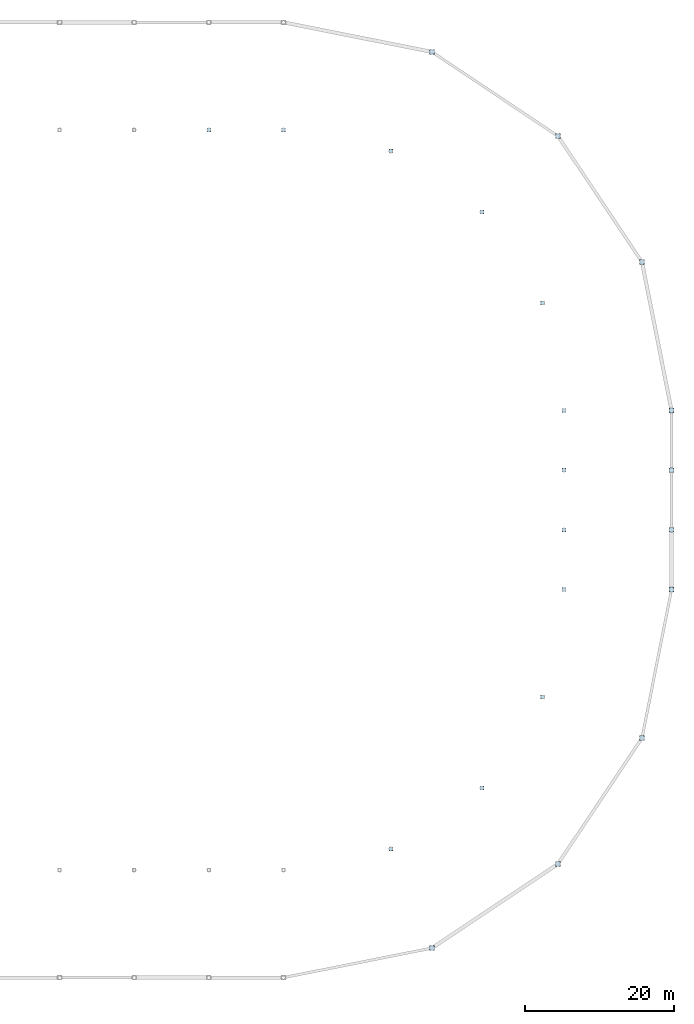
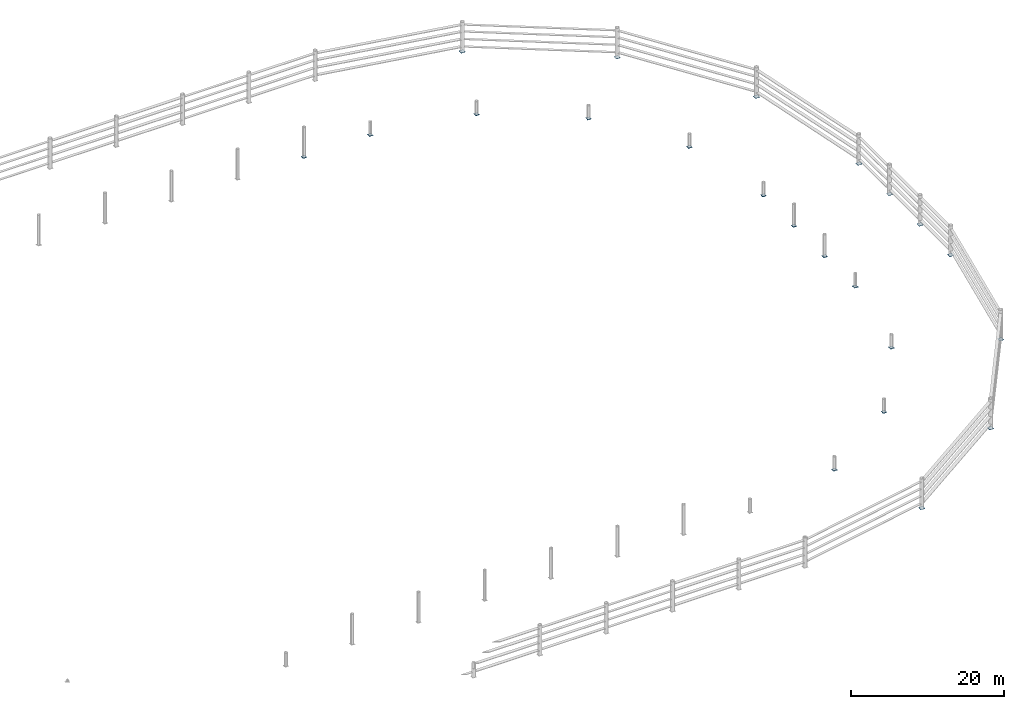
# One storey, part 22 of 29: 22 plates.
"""IFC4 building model written with IfcOpenShell, lengths in metres."""

from ifc_helpers import new_model, si_unit, direction, frame, origin, origin_2d, place, context, subcontext, project, spatial, rectangle, extrude, material, layer, layer_set, type_object, element, save


model = new_model("IFC4")

# Units and contexts
model_context = context("Model", 3, precision=1e-05, world=origin(), true_north=direction((0.0, 1.0)))
body_context = subcontext(model_context, "Body", "Model", "MODEL_VIEW")
ifc_project = project(units=[si_unit("LENGTHUNIT", "METRE"), si_unit("AREAUNIT", "SQUARE_METRE"), si_unit("VOLUMEUNIT", "CUBIC_METRE"), si_unit("PLANEANGLEUNIT", "RADIAN"), si_unit("MASSUNIT", "GRAM", prefix="KILO")], contexts=[model_context])

# Site, building, storey
site_placement = place(None, origin())
site = spatial("IfcSite", under=ifc_project, at=site_placement, CompositionType="ELEMENT")
building_placement = place(site_placement, origin())
building = spatial("IfcBuilding", under=site, at=building_placement, Name="Candeia Ridge Stadium", CompositionType="ELEMENT")
storey_placement = place(building_placement, frame((0.0, 0.0, 27.0)))
storey = spatial("IfcBuildingStorey", under=building, at=storey_placement, Name="L05", CompositionType="ELEMENT", Elevation=27.0)

# Plates
ifc_material = material(Name="Steel ASTM A572 Grade 50", Category="steel")
ifc_layer = layer(ifc_material, 0.02490234375, Name="Steel ASTM A572 Grade 50", Category="steel")
ifc_layer_set = layer_set([ifc_layer], Name="Steel ASTM A572 Grade 50")
plate_type = type_object("IfcPlateType", Name="Hollow Section End Closure Plate CP1", PredefinedType="SHEET", material=ifc_layer_set)
for number, where, z_axis, x_axis, name in (
    (1, (141.0, 132.60009765625, -0.012451171875), (0.0, 0.0, 1.0), (1.0, 0.0, 0.0), "Hollow section end closure plate MCAP-B-BC-MD-00"),
    (2, (131.0, 132.60009765625, -0.012451171875), (0.0, 0.0, 1.0), (1.0, 0.0, 0.0), "Hollow section end closure plate MCAP-B-BC-MD-01"),
    (3, (155.388916015625, 36.26220703125, -0.012451171875), (0.0, 0.0, 1.0), (1.0, 0.0, 0.0), "Hollow section end closure plate MCAP-B-BC-MD-26"),
):
    element("IfcPlate", number, at=place(storey_placement, frame(where, z_axis=z_axis, x_axis=x_axis)), inside=storey, type_object=plate_type, Name=name, PredefinedType="SHEET", context=body_context, shape_type="SweptSolid", body=[
        extrude(rectangle(XDim=0.5400390625, YDim=0.5400390625, at=origin_2d()), origin(), (0.0, 0.0, 1.0), 0.02490234375),
    ])
plate_1_placement = place(storey_placement, frame((160.899658203125, 22.958251953125, -0.012451171875), z_axis=(0.0, 0.0, 1.0), x_axis=(1.0, 0.0, 0.0)))
element("IfcPlate", 4, at=plate_1_placement, inside=storey, type_object=plate_type, Name="Hollow section end closure plate MCAP-B-BC-OU-26", PredefinedType="SHEET", context=body_context, shape_type="SweptSolid", body=[
    extrude(rectangle(XDim=0.639892578125, YDim=0.639892578125, at=origin_2d()), origin(), (0.0, 0.0, 1.0), 0.02490234375),
])
plate_2_placement = place(storey_placement, frame((167.587158203125, 44.412841796875, -0.012451171875), z_axis=(0.0, 0.0, 1.0), x_axis=(1.0, 0.0, 0.0)))
element("IfcPlate", 5, at=plate_2_placement, inside=storey, type_object=plate_type, Name="Hollow section end closure plate MCAP-B-BC-MD-27", PredefinedType="SHEET", context=body_context, shape_type="SweptSolid", body=[
    extrude(rectangle(XDim=0.5400390625, YDim=0.5400390625, at=origin_2d()), origin(), (0.0, 0.0, 1.0), 0.02490234375),
])
plate_3_placement = place(storey_placement, frame((177.76953125, 34.23046875, -0.012451171875), z_axis=(0.0, 0.0, 1.0), x_axis=(1.0, 0.0, 0.0)))
element("IfcPlate", 6, at=plate_3_placement, inside=storey, type_object=plate_type, Name="Hollow section end closure plate MCAP-B-BC-OU-27", PredefinedType="SHEET", context=body_context, shape_type="SweptSolid", body=[
    extrude(rectangle(XDim=0.639892578125, YDim=0.639892578125, at=origin_2d()), origin(), (0.0, 0.0, 1.0), 0.02490234375),
])
plate_4_placement = place(storey_placement, frame((175.73779296875, 56.611083984375, -0.012451171875), z_axis=(0.0, 0.0, 1.0), x_axis=(1.0, 0.0, 0.0)))
element("IfcPlate", 7, at=plate_4_placement, inside=storey, type_object=plate_type, Name="Hollow section end closure plate MCAP-B-BC-MD-28", PredefinedType="SHEET", context=body_context, shape_type="SweptSolid", body=[
    extrude(rectangle(XDim=0.5400390625, YDim=0.5400390625, at=origin_2d()), origin(), (0.0, 0.0, 1.0), 0.02490234375),
])
plate_5_placement = place(storey_placement, frame((189.041748046875, 51.100341796875, -0.012451171875), z_axis=(0.0, 0.0, 1.0), x_axis=(1.0, 0.0, 0.0)))
element("IfcPlate", 8, at=plate_5_placement, inside=storey, type_object=plate_type, Name="Hollow section end closure plate MCAP-B-BC-OU-28", PredefinedType="SHEET", context=body_context, shape_type="SweptSolid", body=[
    extrude(rectangle(XDim=0.639892578125, YDim=0.639892578125, at=origin_2d()), origin(), (0.0, 0.0, 1.0), 0.02490234375),
])
plate_6_placement = place(storey_placement, frame((178.60009765625, 71.0, -0.012451171875), z_axis=(0.0, 0.0, 1.0), x_axis=(1.0, 0.0, 0.0)))
element("IfcPlate", 9, at=plate_6_placement, inside=storey, type_object=plate_type, Name="Hollow section end closure plate MCAP-B-BC-MD-29", PredefinedType="SHEET", context=body_context, shape_type="SweptSolid", body=[
    extrude(rectangle(XDim=0.5400390625, YDim=0.5400390625, at=origin_2d()), origin(), (0.0, 0.0, 1.0), 0.02490234375),
])
plate_7_placement = place(storey_placement, frame((193.0, 71.0, -0.012451171875), z_axis=(0.0, 0.0, 1.0), x_axis=(1.0, 0.0, 0.0)))
element("IfcPlate", 10, at=plate_7_placement, inside=storey, type_object=plate_type, Name="Hollow section end closure plate MCAP-B-BC-OU-29", PredefinedType="SHEET", context=body_context, shape_type="SweptSolid", body=[
    extrude(rectangle(XDim=0.639892578125, YDim=0.639892578125, at=origin_2d()), origin(), (0.0, 0.0, 1.0), 0.02490234375),
])
plate_8_placement = place(storey_placement, frame((178.60009765625, 79.0, -0.012451171875), z_axis=(0.0, 0.0, 1.0), x_axis=(1.0, 0.0, 0.0)))
element("IfcPlate", 11, at=plate_8_placement, inside=storey, type_object=plate_type, Name="Hollow section end closure plate MCAP-B-BC-MD-30", PredefinedType="SHEET", context=body_context, shape_type="SweptSolid", body=[
    extrude(rectangle(XDim=0.5400390625, YDim=0.5400390625, at=origin_2d()), origin(), (0.0, 0.0, 1.0), 0.02490234375),
])
plate_9_placement = place(storey_placement, frame((193.0, 79.0, -0.012451171875), z_axis=(0.0, 0.0, 1.0), x_axis=(1.0, 0.0, 0.0)))
element("IfcPlate", 12, at=plate_9_placement, inside=storey, type_object=plate_type, Name="Hollow section end closure plate MCAP-B-BC-OU-30", PredefinedType="SHEET", context=body_context, shape_type="SweptSolid", body=[
    extrude(rectangle(XDim=0.639892578125, YDim=0.639892578125, at=origin_2d()), origin(), (0.0, 0.0, 1.0), 0.02490234375),
])
plate_10_placement = place(storey_placement, frame((178.60009765625, 87.0, -0.012451171875), z_axis=(0.0, 0.0, 1.0), x_axis=(1.0, 0.0, 0.0)))
element("IfcPlate", 13, at=plate_10_placement, inside=storey, type_object=plate_type, Name="Hollow section end closure plate MCAP-B-BC-MD-31", PredefinedType="SHEET", context=body_context, shape_type="SweptSolid", body=[
    extrude(rectangle(XDim=0.5400390625, YDim=0.5400390625, at=origin_2d()), origin(), (0.0, 0.0, 1.0), 0.02490234375),
])
plate_11_placement = place(storey_placement, frame((193.0, 87.0, -0.012451171875), z_axis=(0.0, 0.0, 1.0), x_axis=(1.0, 0.0, 0.0)))
element("IfcPlate", 14, at=plate_11_placement, inside=storey, type_object=plate_type, Name="Hollow section end closure plate MCAP-B-BC-OU-31", PredefinedType="SHEET", context=body_context, shape_type="SweptSolid", body=[
    extrude(rectangle(XDim=0.639892578125, YDim=0.639892578125, at=origin_2d()), origin(), (0.0, 0.0, 1.0), 0.02490234375),
])
plate_12_placement = place(storey_placement, frame((178.60009765625, 95.0, -0.012451171875), z_axis=(0.0, 0.0, 1.0), x_axis=(1.0, 0.0, 0.0)))
element("IfcPlate", 15, at=plate_12_placement, inside=storey, type_object=plate_type, Name="Hollow section end closure plate MCAP-B-BC-MD-32", PredefinedType="SHEET", context=body_context, shape_type="SweptSolid", body=[
    extrude(rectangle(XDim=0.5400390625, YDim=0.5400390625, at=origin_2d()), origin(), (0.0, 0.0, 1.0), 0.02490234375),
])
plate_13_placement = place(storey_placement, frame((193.0, 95.0, -0.012451171875), z_axis=(0.0, 0.0, 1.0), x_axis=(1.0, 0.0, 0.0)))
element("IfcPlate", 16, at=plate_13_placement, inside=storey, type_object=plate_type, Name="Hollow section end closure plate MCAP-B-BC-OU-32", PredefinedType="SHEET", context=body_context, shape_type="SweptSolid", body=[
    extrude(rectangle(XDim=0.639892578125, YDim=0.639892578125, at=origin_2d()), origin(), (0.0, 0.0, 1.0), 0.02490234375),
])
plate_14_placement = place(storey_placement, frame((175.73779296875, 109.388916015625, -0.012451171875), z_axis=(0.0, 0.0, 1.0), x_axis=(1.0, 0.0, 0.0)))
element("IfcPlate", 17, at=plate_14_placement, inside=storey, type_object=plate_type, Name="Hollow section end closure plate MCAP-B-BC-MD-33", PredefinedType="SHEET", context=body_context, shape_type="SweptSolid", body=[
    extrude(rectangle(XDim=0.5400390625, YDim=0.5400390625, at=origin_2d()), origin(), (0.0, 0.0, 1.0), 0.02490234375),
])
plate_15_placement = place(storey_placement, frame((189.041748046875, 114.899658203125, -0.012451171875), z_axis=(0.0, 0.0, 1.0), x_axis=(1.0, 0.0, 0.0)))
element("IfcPlate", 18, at=plate_15_placement, inside=storey, type_object=plate_type, Name="Hollow section end closure plate MCAP-B-BC-OU-33", PredefinedType="SHEET", context=body_context, shape_type="SweptSolid", body=[
    extrude(rectangle(XDim=0.639892578125, YDim=0.639892578125, at=origin_2d()), origin(), (0.0, 0.0, 1.0), 0.02490234375),
])
plate_16_placement = place(storey_placement, frame((167.587158203125, 121.587158203125, -0.012451171875), z_axis=(0.0, 0.0, 1.0), x_axis=(1.0, 0.0, 0.0)))
element("IfcPlate", 19, at=plate_16_placement, inside=storey, type_object=plate_type, Name="Hollow section end closure plate MCAP-B-BC-MD-34", PredefinedType="SHEET", context=body_context, shape_type="SweptSolid", body=[
    extrude(rectangle(XDim=0.5400390625, YDim=0.5400390625, at=origin_2d()), origin(), (0.0, 0.0, 1.0), 0.02490234375),
])
plate_17_placement = place(storey_placement, frame((177.76953125, 131.76953125, -0.012451171875), z_axis=(0.0, 0.0, 1.0), x_axis=(1.0, 0.0, 0.0)))
element("IfcPlate", 20, at=plate_17_placement, inside=storey, type_object=plate_type, Name="Hollow section end closure plate MCAP-B-BC-OU-34", PredefinedType="SHEET", context=body_context, shape_type="SweptSolid", body=[
    extrude(rectangle(XDim=0.639892578125, YDim=0.639892578125, at=origin_2d()), origin(), (0.0, 0.0, 1.0), 0.02490234375),
])
plate_18_placement = place(storey_placement, frame((155.388916015625, 129.73779296875, -0.012451171875), z_axis=(0.0, 0.0, 1.0), x_axis=(1.0, 0.0, 0.0)))
element("IfcPlate", 21, at=plate_18_placement, inside=storey, type_object=plate_type, Name="Hollow section end closure plate MCAP-B-BC-MD-35", PredefinedType="SHEET", context=body_context, shape_type="SweptSolid", body=[
    extrude(rectangle(XDim=0.5400390625, YDim=0.5400390625, at=origin_2d()), origin(), (0.0, 0.0, 1.0), 0.02490234375),
])
plate_19_placement = place(storey_placement, frame((160.899658203125, 143.041748046875, -0.012451171875), z_axis=(0.0, 0.0, 1.0), x_axis=(1.0, 0.0, 0.0)))
element("IfcPlate", 22, at=plate_19_placement, inside=storey, type_object=plate_type, Name="Hollow section end closure plate MCAP-B-BC-OU-35", PredefinedType="SHEET", context=body_context, shape_type="SweptSolid", body=[
    extrude(rectangle(XDim=0.639892578125, YDim=0.639892578125, at=origin_2d()), origin(), (0.0, 0.0, 1.0), 0.02490234375),
])

save(model, "model.ifc")
